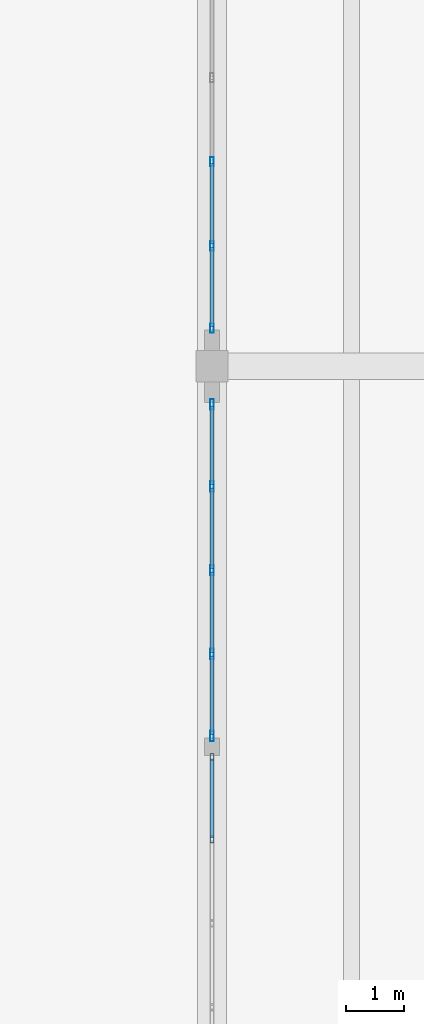
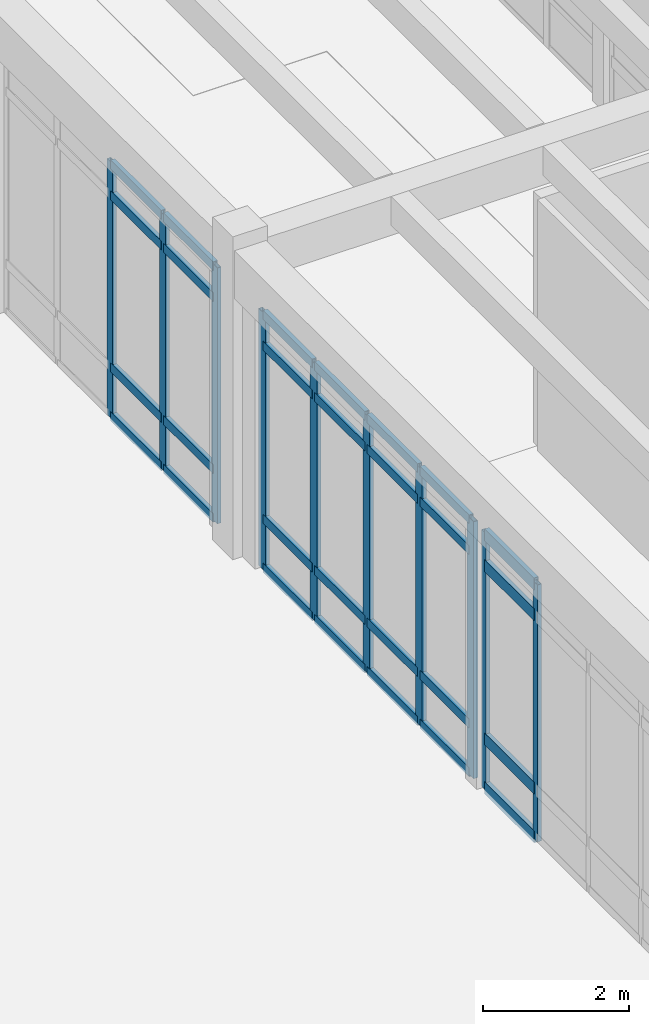
# One storey, part 40 of 138: 38 members, 3 elements without a shape of their own.
"""IFC4 building model written with IfcOpenShell, lengths in metres."""

from ifc_helpers import new_model, si_unit, direction, frame, origin, origin_2d, place, context, subcontext, project, spatial, hollow_rectangle, extrude, material, layer, layer_set, material_profile, profile_set, type_object, element, aggregate, save


model = new_model("IFC4")

# Units and contexts
model_context = context("Model", 3, precision=1e-05, world=origin(), true_north=direction((0.0, 1.0)))
body_context = subcontext(model_context, "Body", "Model", "MODEL_VIEW")
ifc_project = project(units=[si_unit("LENGTHUNIT", "METRE"), si_unit("AREAUNIT", "SQUARE_METRE"), si_unit("VOLUMEUNIT", "CUBIC_METRE"), si_unit("PLANEANGLEUNIT", "RADIAN"), si_unit("MASSUNIT", "GRAM", prefix="KILO")], contexts=[model_context])

# Site, building, storey
site_placement = place(None, origin())
site = spatial("IfcSite", under=ifc_project, at=site_placement, CompositionType="ELEMENT")
building_placement = place(site_placement, origin())
building = spatial("IfcBuilding", under=site, at=building_placement, Name="Fikremerkos Civic Library", CompositionType="ELEMENT")
storey_placement = place(building_placement, origin())
storey = spatial("IfcBuildingStorey", under=building, at=storey_placement, Name="L00", CompositionType="ELEMENT", Elevation=0.0)

# Curtain wall, members
ifc_material = material(Name="Anodized aluminium Frame", Category="aluminium")
ifc_layer_1 = layer(ifc_material, 0.159912109375, Name="Anodized aluminium Frame")
ifc_layer_set_1 = layer_set([ifc_layer_1], Name="Anodized aluminium Frame")
curtain_wall_type_1 = type_object("IfcCurtainWallType", Name="Unitised curtain wall CW-09 3600x3400", PredefinedType="USERDEFINED", material=ifc_layer_set_1)
curtain_wall_1_placement = place(storey_placement, origin())
curtain_wall_1 = element("IfcCurtainWall", 1, at=curtain_wall_1_placement, inside=storey, type_object=curtain_wall_type_1, Name="Unitised curtain wall CW-09 L00 #27", ObjectType="UNITISED CURTAIN WALL", PredefinedType="USERDEFINED")
ifc_material_profile_1 = material_profile(ifc_material, hollow_rectangle(XDim=0.06494140625, YDim=0.179931640625, WallThickness=0.00439453125, at=origin_2d()), Name="ALU 180x65x4.5")
ifc_profile_set_1 = profile_set([ifc_material_profile_1], Name="Anodized aluminium Frame")
member_type_1 = type_object("IfcMemberType", Name="Curtain mullion CWM-01 ALU 180x65x4.5", PredefinedType="MULLION", material=ifc_profile_set_1)
member_1_placement = place(storey_placement, frame((124.800048828125, 70.43310546875, 0.0), z_axis=(0.0, 0.0, 1.0), x_axis=(-1.0, 0.0, 0.0)))
member_1 = element("IfcMember", 2, at=member_1_placement, type_object=member_type_1, Name="CW-09 mullion 1", PredefinedType="MULLION", context=body_context, shape_type="SweptSolid", body=[
    extrude(hollow_rectangle(XDim=0.06494140625, YDim=0.179931640625, WallThickness=0.00439453125, at=origin_2d()), origin(), (0.0, 0.0, 1.0), 4.300048828125),
])
member_2_placement = place(storey_placement, frame((124.800048828125, 71.8447265625, 0.0), z_axis=(0.0, 0.0, 1.0), x_axis=(-1.0, 0.0, 0.0)))
member_2 = element("IfcMember", 3, at=member_2_placement, type_object=member_type_1, Name="CW-09 mullion 2", PredefinedType="MULLION", context=body_context, shape_type="SweptSolid", body=[
    extrude(hollow_rectangle(XDim=0.06494140625, YDim=0.179931640625, WallThickness=0.00439453125, at=origin_2d()), origin(), (0.0, 0.0, 1.0), 4.300048828125),
])
member_3_placement = place(storey_placement, frame((124.800048828125, 73.288818359375, 0.0), z_axis=(0.0, 0.0, 1.0), x_axis=(-1.0, 0.0, 0.0)))
member_3 = element("IfcMember", 4, at=member_3_placement, type_object=member_type_1, Name="CW-09 mullion 3", PredefinedType="MULLION", context=body_context, shape_type="SweptSolid", body=[
    extrude(hollow_rectangle(XDim=0.06494140625, YDim=0.179931640625, WallThickness=0.00439453125, at=origin_2d()), origin(), (0.0, 0.0, 1.0), 4.300048828125),
])
member_4_placement = place(storey_placement, frame((124.800048828125, 74.73291015625, 0.0), z_axis=(0.0, 0.0, 1.0), x_axis=(-1.0, 0.0, 0.0)))
member_4 = element("IfcMember", 5, at=member_4_placement, type_object=member_type_1, Name="CW-09 mullion 4", PredefinedType="MULLION", context=body_context, shape_type="SweptSolid", body=[
    extrude(hollow_rectangle(XDim=0.06494140625, YDim=0.179931640625, WallThickness=0.00439453125, at=origin_2d()), origin(), (0.0, 0.0, 1.0), 4.300048828125),
])
member_5_placement = place(storey_placement, frame((124.800048828125, 76.14453125, 0.0), z_axis=(0.0, 0.0, 1.0), x_axis=(-1.0, 0.0, 0.0)))
member_5 = element("IfcMember", 6, at=member_5_placement, type_object=member_type_1, Name="CW-09 mullion 5", PredefinedType="MULLION", context=body_context, shape_type="SweptSolid", body=[
    extrude(hollow_rectangle(XDim=0.06494140625, YDim=0.179931640625, WallThickness=0.00439453125, at=origin_2d()), origin(), (0.0, 0.0, 1.0), 4.300048828125),
])

ifc_layer_2 = layer(ifc_material, 0.159912109375, Name="Anodized aluminium Frame")
ifc_layer_set_2 = layer_set([ifc_layer_2], Name="Anodized aluminium Frame")
curtain_wall_type_2 = type_object("IfcCurtainWallType", Name="Unitised curtain wall CW-10 4000x3400", PredefinedType="USERDEFINED", material=ifc_layer_set_2)
curtain_wall_2_placement = place(storey_placement, origin())
curtain_wall_2 = element("IfcCurtainWall", 7, at=curtain_wall_2_placement, inside=storey, type_object=curtain_wall_type_2, Name="Unitised curtain wall CW-10 L00 #28", ObjectType="UNITISED CURTAIN WALL", PredefinedType="USERDEFINED")
ifc_material_profile_2 = material_profile(ifc_material, hollow_rectangle(XDim=0.06005859375, YDim=0.159912109375, WallThickness=0.00390625, at=origin_2d()), Name="ALU 160x60x4")
ifc_profile_set_2 = profile_set([ifc_material_profile_2], Name="Anodized aluminium Frame")
member_type_2 = type_object("IfcMemberType", Name="Curtain mullion CWM-02 ALU 160x60x4", PredefinedType="MULLION", material=ifc_profile_set_2)
member_6_placement = place(storey_placement, frame((124.800048828125, 77.452880859375, 0.0), z_axis=(0.0, 0.0, 1.0), x_axis=(-1.0, 0.0, 0.0)))
member_6 = element("IfcMember", 8, at=member_6_placement, type_object=member_type_2, Name="CW-10 mullion 1", PredefinedType="MULLION", context=body_context, shape_type="SweptSolid", body=[
    extrude(hollow_rectangle(XDim=0.06005859375, YDim=0.159912109375, WallThickness=0.00390625, at=origin_2d()), origin(), (0.0, 0.0, 1.0), 4.280029296875),
])
member_7_placement = place(storey_placement, frame((124.800048828125, 78.871337890625, 0.0), z_axis=(0.0, 0.0, 1.0), x_axis=(-1.0, 0.0, 0.0)))
member_7 = element("IfcMember", 9, at=member_7_placement, type_object=member_type_2, Name="CW-10 mullion 2", PredefinedType="MULLION", context=body_context, shape_type="SweptSolid", body=[
    extrude(hollow_rectangle(XDim=0.06005859375, YDim=0.159912109375, WallThickness=0.00390625, at=origin_2d()), origin(), (0.0, 0.0, 1.0), 4.280029296875),
])
member_8_placement = place(storey_placement, frame((124.800048828125, 80.319580078125, 0.0), z_axis=(0.0, 0.0, 1.0), x_axis=(-1.0, 0.0, 0.0)))
member_8 = element("IfcMember", 10, at=member_8_placement, type_object=member_type_2, Name="CW-10 mullion 3", PredefinedType="MULLION", context=body_context, shape_type="SweptSolid", body=[
    extrude(hollow_rectangle(XDim=0.06005859375, YDim=0.159912109375, WallThickness=0.00390625, at=origin_2d()), origin(), (0.0, 0.0, 1.0), 4.280029296875),
])

ifc_layer_3 = layer(ifc_material, 0.159912109375, Name="Anodized aluminium Frame")
ifc_layer_set_3 = layer_set([ifc_layer_3], Name="Anodized aluminium Frame")
curtain_wall_type_3 = type_object("IfcCurtainWallType", Name="Unitised curtain wall CW-08 4500x4100", PredefinedType="USERDEFINED", material=ifc_layer_set_3)
curtain_wall_3_placement = place(storey_placement, origin())
curtain_wall_3 = element("IfcCurtainWall", 11, at=curtain_wall_3_placement, inside=storey, type_object=curtain_wall_type_3, Name="Unitised curtain wall CW-08 L00 #26", ObjectType="UNITISED CURTAIN WALL", PredefinedType="USERDEFINED")
ifc_material_profile_3 = material_profile(ifc_material, hollow_rectangle(XDim=0.06005859375, YDim=0.1201171875, WallThickness=0.00390625, at=origin_2d()), Name="ALU 120x60x4")
ifc_profile_set_3 = profile_set([ifc_material_profile_3], Name="Anodized aluminium Frame")
member_type_3 = type_object("IfcMemberType", Name="Curtain mullion CWM-04 ALU 120x60x4", PredefinedType="MULLION", material=ifc_profile_set_3)
member_9_placement = place(storey_placement, frame((124.800048828125, 68.656494140625, 0.0), z_axis=(0.0, 0.0, 1.0), x_axis=(-1.0, 0.0, 0.0)))
member_9 = element("IfcMember", 12, at=member_9_placement, type_object=member_type_3, Name="CW-08 mullion 4", PredefinedType="MULLION", context=body_context, shape_type="SweptSolid", body=[
    extrude(hollow_rectangle(XDim=0.06005859375, YDim=0.1201171875, WallThickness=0.00390625, at=origin_2d()), origin(), (0.0, 0.0, 1.0), 4.300048828125),
])
member_10_placement = place(storey_placement, frame((124.800048828125, 70.070556640625, 0.0), z_axis=(0.0, 0.0, 1.0), x_axis=(-1.0, 0.0, 0.0)))
member_10 = element("IfcMember", 13, at=member_10_placement, type_object=member_type_3, Name="CW-08 mullion 5", PredefinedType="MULLION", context=body_context, shape_type="SweptSolid", body=[
    extrude(hollow_rectangle(XDim=0.06005859375, YDim=0.1201171875, WallThickness=0.00390625, at=origin_2d()), origin(), (0.0, 0.0, 1.0), 4.300048828125),
])

# Member
ifc_material_profile_4 = material_profile(ifc_material, hollow_rectangle(XDim=0.070068359375, YDim=0.14990234375, WallThickness=0.00439453125, at=origin_2d()), Name="ALU 150x70x4.5")
ifc_profile_set_4 = profile_set([ifc_material_profile_4], Name="Anodized aluminium Frame")
member_type_4 = type_object("IfcMemberType", Name="Curtain transom CWT-01 ALU 150x70x4.5", PredefinedType="USERDEFINED", material=ifc_profile_set_4)
member_11_placement = place(storey_placement, frame((124.800048828125, 70.465576171875, 0.034912109375), z_axis=(0.0, 1.0, 0.0), x_axis=(-1.0, 0.0, 0.0)))
member_11 = element("IfcMember", 14, at=member_11_placement, type_object=member_type_4, Name="CW-09 transom 1.1", ObjectType="TRANSOM", PredefinedType="USERDEFINED", context=body_context, shape_type="SweptSolid", body=[
    extrude(hollow_rectangle(XDim=0.070068359375, YDim=0.14990234375, WallThickness=0.00439453125, at=origin_2d()), origin(), (0.0, 0.0, 1.0), 1.3466796875),
])

member_12_placement = place(storey_placement, frame((124.800048828125, 70.465576171875, 0.85009765625), z_axis=(0.0, 1.0, 0.0), x_axis=(-1.0, 0.0, 0.0)))
member_12 = element("IfcMember", 15, at=member_12_placement, type_object=member_type_4, Name="CW-09 transom 1.2", ObjectType="TRANSOM", PredefinedType="USERDEFINED", context=body_context, shape_type="SweptSolid", body=[
    extrude(hollow_rectangle(XDim=0.070068359375, YDim=0.14990234375, WallThickness=0.00439453125, at=origin_2d()), origin(), (0.0, 0.0, 1.0), 1.3466796875),
])

member_13_placement = place(storey_placement, frame((124.800048828125, 70.465576171875, 3.75), z_axis=(0.0, 1.0, 0.0), x_axis=(-1.0, 0.0, 0.0)))
member_13 = element("IfcMember", 16, at=member_13_placement, type_object=member_type_4, Name="CW-09 transom 1.3", ObjectType="TRANSOM", PredefinedType="USERDEFINED", context=body_context, shape_type="SweptSolid", body=[
    extrude(hollow_rectangle(XDim=0.070068359375, YDim=0.14990234375, WallThickness=0.00439453125, at=origin_2d()), origin(), (0.0, 0.0, 1.0), 1.3466796875),
])

member_14_placement = place(storey_placement, frame((124.800048828125, 70.465576171875, 4.264892578125), z_axis=(0.0, 1.0, 0.0), x_axis=(-1.0, 0.0, 0.0)))
member_14 = element("IfcMember", 17, at=member_14_placement, type_object=member_type_4, Name="CW-09 transom 1.4", ObjectType="TRANSOM", PredefinedType="USERDEFINED", context=body_context, shape_type="SweptSolid", body=[
    extrude(hollow_rectangle(XDim=0.070068359375, YDim=0.14990234375, WallThickness=0.00439453125, at=origin_2d()), origin(), (0.0, 0.0, 1.0), 1.3466796875),
])

member_15_placement = place(storey_placement, frame((124.800048828125, 71.877197265625, 0.034912109375), z_axis=(0.0, 1.0, 0.0), x_axis=(-1.0, 0.0, 0.0)))
member_15 = element("IfcMember", 18, at=member_15_placement, type_object=member_type_4, Name="CW-09 transom 2.1", ObjectType="TRANSOM", PredefinedType="USERDEFINED", context=body_context, shape_type="SweptSolid", body=[
    extrude(hollow_rectangle(XDim=0.070068359375, YDim=0.14990234375, WallThickness=0.00439453125, at=origin_2d()), origin(), (0.0, 0.0, 1.0), 1.379150390625),
])

member_16_placement = place(storey_placement, frame((124.800048828125, 71.877197265625, 0.85009765625), z_axis=(0.0, 1.0, 0.0), x_axis=(-1.0, 0.0, 0.0)))
member_16 = element("IfcMember", 19, at=member_16_placement, type_object=member_type_4, Name="CW-09 transom 2.2", ObjectType="TRANSOM", PredefinedType="USERDEFINED", context=body_context, shape_type="SweptSolid", body=[
    extrude(hollow_rectangle(XDim=0.070068359375, YDim=0.14990234375, WallThickness=0.00439453125, at=origin_2d()), origin(), (0.0, 0.0, 1.0), 1.379150390625),
])

member_17_placement = place(storey_placement, frame((124.800048828125, 71.877197265625, 3.75), z_axis=(0.0, 1.0, 0.0), x_axis=(-1.0, 0.0, 0.0)))
member_17 = element("IfcMember", 20, at=member_17_placement, type_object=member_type_4, Name="CW-09 transom 2.3", ObjectType="TRANSOM", PredefinedType="USERDEFINED", context=body_context, shape_type="SweptSolid", body=[
    extrude(hollow_rectangle(XDim=0.070068359375, YDim=0.14990234375, WallThickness=0.00439453125, at=origin_2d()), origin(), (0.0, 0.0, 1.0), 1.379150390625),
])

member_18_placement = place(storey_placement, frame((124.800048828125, 71.877197265625, 4.264892578125), z_axis=(0.0, 1.0, 0.0), x_axis=(-1.0, 0.0, 0.0)))
member_18 = element("IfcMember", 21, at=member_18_placement, type_object=member_type_4, Name="CW-09 transom 2.4", ObjectType="TRANSOM", PredefinedType="USERDEFINED", context=body_context, shape_type="SweptSolid", body=[
    extrude(hollow_rectangle(XDim=0.070068359375, YDim=0.14990234375, WallThickness=0.00439453125, at=origin_2d()), origin(), (0.0, 0.0, 1.0), 1.379150390625),
])

member_19_placement = place(storey_placement, frame((124.800048828125, 73.3212890625, 0.034912109375), z_axis=(0.0, 1.0, 0.0), x_axis=(-1.0, 0.0, 0.0)))
member_19 = element("IfcMember", 22, at=member_19_placement, type_object=member_type_4, Name="CW-09 transom 3.1", ObjectType="TRANSOM", PredefinedType="USERDEFINED", context=body_context, shape_type="SweptSolid", body=[
    extrude(hollow_rectangle(XDim=0.070068359375, YDim=0.14990234375, WallThickness=0.00439453125, at=origin_2d()), origin(), (0.0, 0.0, 1.0), 1.379150390625),
])

member_20_placement = place(storey_placement, frame((124.800048828125, 73.3212890625, 0.85009765625), z_axis=(0.0, 1.0, 0.0), x_axis=(-1.0, 0.0, 0.0)))
member_20 = element("IfcMember", 23, at=member_20_placement, type_object=member_type_4, Name="CW-09 transom 3.2", ObjectType="TRANSOM", PredefinedType="USERDEFINED", context=body_context, shape_type="SweptSolid", body=[
    extrude(hollow_rectangle(XDim=0.070068359375, YDim=0.14990234375, WallThickness=0.00439453125, at=origin_2d()), origin(), (0.0, 0.0, 1.0), 1.379150390625),
])

member_21_placement = place(storey_placement, frame((124.800048828125, 73.3212890625, 3.75), z_axis=(0.0, 1.0, 0.0), x_axis=(-1.0, 0.0, 0.0)))
member_21 = element("IfcMember", 24, at=member_21_placement, type_object=member_type_4, Name="CW-09 transom 3.3", ObjectType="TRANSOM", PredefinedType="USERDEFINED", context=body_context, shape_type="SweptSolid", body=[
    extrude(hollow_rectangle(XDim=0.070068359375, YDim=0.14990234375, WallThickness=0.00439453125, at=origin_2d()), origin(), (0.0, 0.0, 1.0), 1.379150390625),
])

member_22_placement = place(storey_placement, frame((124.800048828125, 73.3212890625, 4.264892578125), z_axis=(0.0, 1.0, 0.0), x_axis=(-1.0, 0.0, 0.0)))
member_22 = element("IfcMember", 25, at=member_22_placement, type_object=member_type_4, Name="CW-09 transom 3.4", ObjectType="TRANSOM", PredefinedType="USERDEFINED", context=body_context, shape_type="SweptSolid", body=[
    extrude(hollow_rectangle(XDim=0.070068359375, YDim=0.14990234375, WallThickness=0.00439453125, at=origin_2d()), origin(), (0.0, 0.0, 1.0), 1.379150390625),
])

member_23_placement = place(storey_placement, frame((124.800048828125, 74.765380859375, 0.034912109375), z_axis=(0.0, 1.0, 0.0), x_axis=(-1.0, 0.0, 0.0)))
member_23 = element("IfcMember", 26, at=member_23_placement, type_object=member_type_4, Name="CW-09 transom 4.1", ObjectType="TRANSOM", PredefinedType="USERDEFINED", context=body_context, shape_type="SweptSolid", body=[
    extrude(hollow_rectangle(XDim=0.070068359375, YDim=0.14990234375, WallThickness=0.00439453125, at=origin_2d()), origin(), (0.0, 0.0, 1.0), 1.3466796875),
])

member_24_placement = place(storey_placement, frame((124.800048828125, 74.765380859375, 0.85009765625), z_axis=(0.0, 1.0, 0.0), x_axis=(-1.0, 0.0, 0.0)))
member_24 = element("IfcMember", 27, at=member_24_placement, type_object=member_type_4, Name="CW-09 transom 4.2", ObjectType="TRANSOM", PredefinedType="USERDEFINED", context=body_context, shape_type="SweptSolid", body=[
    extrude(hollow_rectangle(XDim=0.070068359375, YDim=0.14990234375, WallThickness=0.00439453125, at=origin_2d()), origin(), (0.0, 0.0, 1.0), 1.3466796875),
])

member_25_placement = place(storey_placement, frame((124.800048828125, 74.765380859375, 3.75), z_axis=(0.0, 1.0, 0.0), x_axis=(-1.0, 0.0, 0.0)))
member_25 = element("IfcMember", 28, at=member_25_placement, type_object=member_type_4, Name="CW-09 transom 4.3", ObjectType="TRANSOM", PredefinedType="USERDEFINED", context=body_context, shape_type="SweptSolid", body=[
    extrude(hollow_rectangle(XDim=0.070068359375, YDim=0.14990234375, WallThickness=0.00439453125, at=origin_2d()), origin(), (0.0, 0.0, 1.0), 1.3466796875),
])

member_26_placement = place(storey_placement, frame((124.800048828125, 74.765380859375, 4.264892578125), z_axis=(0.0, 1.0, 0.0), x_axis=(-1.0, 0.0, 0.0)))
member_26 = element("IfcMember", 29, at=member_26_placement, type_object=member_type_4, Name="CW-09 transom 4.4", ObjectType="TRANSOM", PredefinedType="USERDEFINED", context=body_context, shape_type="SweptSolid", body=[
    extrude(hollow_rectangle(XDim=0.070068359375, YDim=0.14990234375, WallThickness=0.00439453125, at=origin_2d()), origin(), (0.0, 0.0, 1.0), 1.3466796875),
])

aggregate(curtain_wall_1, [member_1, member_2, member_3, member_4, member_5, member_11, member_12, member_13, member_14, member_15, member_16, member_17, member_18, member_19, member_20, member_21, member_22, member_23, member_24, member_25, member_26])

member_27_placement = place(storey_placement, frame((124.800048828125, 77.48291015625, 0.034912109375), z_axis=(0.0, 1.0, 0.0), x_axis=(-1.0, 0.0, 0.0)))
member_27 = element("IfcMember", 30, at=member_27_placement, type_object=member_type_4, Name="CW-10 transom 1.1", ObjectType="TRANSOM", PredefinedType="USERDEFINED", context=body_context, shape_type="SweptSolid", body=[
    extrude(hollow_rectangle(XDim=0.070068359375, YDim=0.14990234375, WallThickness=0.00439453125, at=origin_2d()), origin(), (0.0, 0.0, 1.0), 1.3583984375),
])

member_28_placement = place(storey_placement, frame((124.800048828125, 77.48291015625, 0.85009765625), z_axis=(0.0, 1.0, 0.0), x_axis=(-1.0, 0.0, 0.0)))
member_28 = element("IfcMember", 31, at=member_28_placement, type_object=member_type_4, Name="CW-10 transom 1.2", ObjectType="TRANSOM", PredefinedType="USERDEFINED", context=body_context, shape_type="SweptSolid", body=[
    extrude(hollow_rectangle(XDim=0.070068359375, YDim=0.14990234375, WallThickness=0.00439453125, at=origin_2d()), origin(), (0.0, 0.0, 1.0), 1.3583984375),
])

member_29_placement = place(storey_placement, frame((124.800048828125, 77.48291015625, 3.72998046875), z_axis=(0.0, 1.0, 0.0), x_axis=(-1.0, 0.0, 0.0)))
member_29 = element("IfcMember", 32, at=member_29_placement, type_object=member_type_4, Name="CW-10 transom 1.3", ObjectType="TRANSOM", PredefinedType="USERDEFINED", context=body_context, shape_type="SweptSolid", body=[
    extrude(hollow_rectangle(XDim=0.070068359375, YDim=0.14990234375, WallThickness=0.00439453125, at=origin_2d()), origin(), (0.0, 0.0, 1.0), 1.3583984375),
])

member_30_placement = place(storey_placement, frame((124.800048828125, 77.48291015625, 4.2451171875), z_axis=(0.0, 1.0, 0.0), x_axis=(-1.0, 0.0, 0.0)))
member_30 = element("IfcMember", 33, at=member_30_placement, type_object=member_type_4, Name="CW-10 transom 1.4", ObjectType="TRANSOM", PredefinedType="USERDEFINED", context=body_context, shape_type="SweptSolid", body=[
    extrude(hollow_rectangle(XDim=0.070068359375, YDim=0.14990234375, WallThickness=0.00439453125, at=origin_2d()), origin(), (0.0, 0.0, 1.0), 1.3583984375),
])

member_31_placement = place(storey_placement, frame((124.800048828125, 78.9013671875, 0.034912109375), z_axis=(0.0, 1.0, 0.0), x_axis=(-1.0, 0.0, 0.0)))
member_31 = element("IfcMember", 34, at=member_31_placement, type_object=member_type_4, Name="CW-10 transom 2.1", ObjectType="TRANSOM", PredefinedType="USERDEFINED", context=body_context, shape_type="SweptSolid", body=[
    extrude(hollow_rectangle(XDim=0.070068359375, YDim=0.14990234375, WallThickness=0.00439453125, at=origin_2d()), origin(), (0.0, 0.0, 1.0), 1.38818359375),
])

member_32_placement = place(storey_placement, frame((124.800048828125, 78.9013671875, 0.85009765625), z_axis=(0.0, 1.0, 0.0), x_axis=(-1.0, 0.0, 0.0)))
member_32 = element("IfcMember", 35, at=member_32_placement, type_object=member_type_4, Name="CW-10 transom 2.2", ObjectType="TRANSOM", PredefinedType="USERDEFINED", context=body_context, shape_type="SweptSolid", body=[
    extrude(hollow_rectangle(XDim=0.070068359375, YDim=0.14990234375, WallThickness=0.00439453125, at=origin_2d()), origin(), (0.0, 0.0, 1.0), 1.38818359375),
])

member_33_placement = place(storey_placement, frame((124.800048828125, 78.9013671875, 3.72998046875), z_axis=(0.0, 1.0, 0.0), x_axis=(-1.0, 0.0, 0.0)))
member_33 = element("IfcMember", 36, at=member_33_placement, type_object=member_type_4, Name="CW-10 transom 2.3", ObjectType="TRANSOM", PredefinedType="USERDEFINED", context=body_context, shape_type="SweptSolid", body=[
    extrude(hollow_rectangle(XDim=0.070068359375, YDim=0.14990234375, WallThickness=0.00439453125, at=origin_2d()), origin(), (0.0, 0.0, 1.0), 1.38818359375),
])

member_34_placement = place(storey_placement, frame((124.800048828125, 78.9013671875, 4.2451171875), z_axis=(0.0, 1.0, 0.0), x_axis=(-1.0, 0.0, 0.0)))
member_34 = element("IfcMember", 37, at=member_34_placement, type_object=member_type_4, Name="CW-10 transom 2.4", ObjectType="TRANSOM", PredefinedType="USERDEFINED", context=body_context, shape_type="SweptSolid", body=[
    extrude(hollow_rectangle(XDim=0.070068359375, YDim=0.14990234375, WallThickness=0.00439453125, at=origin_2d()), origin(), (0.0, 0.0, 1.0), 1.38818359375),
])

aggregate(curtain_wall_2, [member_6, member_7, member_8, member_27, member_28, member_29, member_30, member_31, member_32, member_33, member_34])

ifc_material_profile_5 = material_profile(ifc_material, hollow_rectangle(XDim=0.070068359375, YDim=0.199951171875, WallThickness=0.0048828125, at=origin_2d()), Name="ALU 200x70x5")
ifc_profile_set_5 = profile_set([ifc_material_profile_5], Name="Anodized aluminium Frame")
member_type_5 = type_object("IfcMemberType", Name="Curtain transom CWT-04 ALU 200x70x5", PredefinedType="USERDEFINED", material=ifc_profile_set_5)
member_35_placement = place(storey_placement, frame((124.800048828125, 68.6865234375, 0.034912109375), z_axis=(0.0, 1.0, 0.0), x_axis=(-1.0, 0.0, 0.0)))
member_35 = element("IfcMember", 38, at=member_35_placement, type_object=member_type_5, Name="CW-08 transom 4.1", ObjectType="TRANSOM", PredefinedType="USERDEFINED", context=body_context, shape_type="SweptSolid", body=[
    extrude(hollow_rectangle(XDim=0.070068359375, YDim=0.199951171875, WallThickness=0.0048828125, at=origin_2d()), origin(), (0.0, 0.0, 1.0), 1.354248046875),
])

member_36_placement = place(storey_placement, frame((124.800048828125, 68.6865234375, 0.85009765625), z_axis=(0.0, 1.0, 0.0), x_axis=(-1.0, 0.0, 0.0)))
member_36 = element("IfcMember", 39, at=member_36_placement, type_object=member_type_5, Name="CW-08 transom 4.2", ObjectType="TRANSOM", PredefinedType="USERDEFINED", context=body_context, shape_type="SweptSolid", body=[
    extrude(hollow_rectangle(XDim=0.070068359375, YDim=0.199951171875, WallThickness=0.0048828125, at=origin_2d()), origin(), (0.0, 0.0, 1.0), 1.354248046875),
])

member_37_placement = place(storey_placement, frame((124.800048828125, 68.6865234375, 3.75), z_axis=(0.0, 1.0, 0.0), x_axis=(-1.0, 0.0, 0.0)))
member_37 = element("IfcMember", 40, at=member_37_placement, type_object=member_type_5, Name="CW-08 transom 4.3", ObjectType="TRANSOM", PredefinedType="USERDEFINED", context=body_context, shape_type="SweptSolid", body=[
    extrude(hollow_rectangle(XDim=0.070068359375, YDim=0.199951171875, WallThickness=0.0048828125, at=origin_2d()), origin(), (0.0, 0.0, 1.0), 1.354248046875),
])

member_38_placement = place(storey_placement, frame((124.800048828125, 68.6865234375, 4.264892578125), z_axis=(0.0, 1.0, 0.0), x_axis=(-1.0, 0.0, 0.0)))
member_38 = element("IfcMember", 41, at=member_38_placement, type_object=member_type_5, Name="CW-08 transom 4.4", ObjectType="TRANSOM", PredefinedType="USERDEFINED", context=body_context, shape_type="SweptSolid", body=[
    extrude(hollow_rectangle(XDim=0.070068359375, YDim=0.199951171875, WallThickness=0.0048828125, at=origin_2d()), origin(), (0.0, 0.0, 1.0), 1.354248046875),
])

aggregate(curtain_wall_3, [member_9, member_10, member_35, member_36, member_37, member_38])

save(model, "model.ifc")
